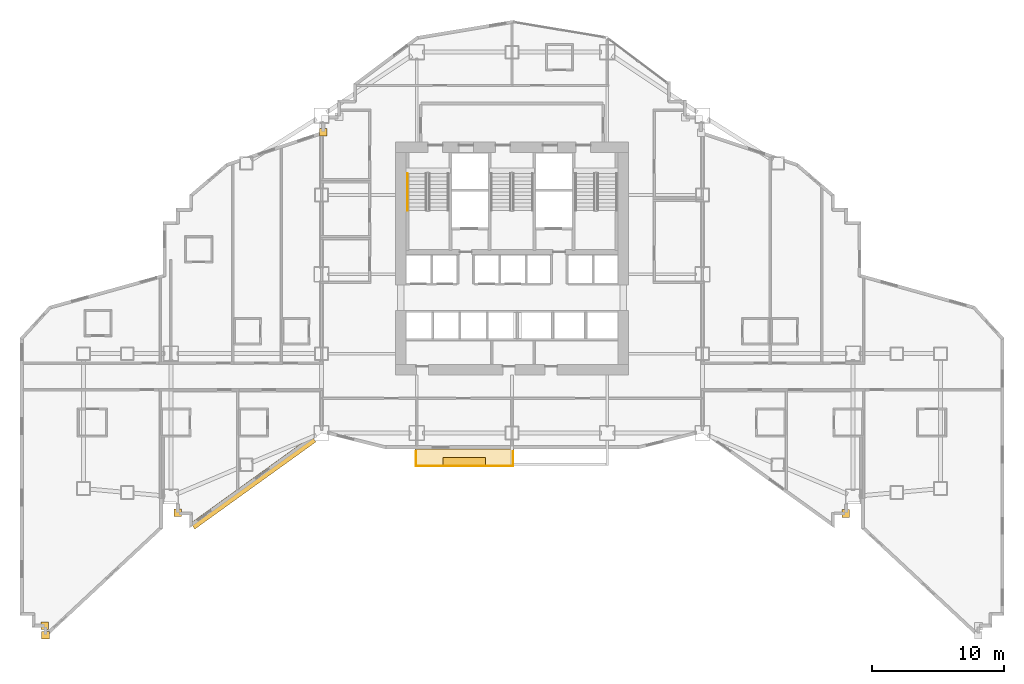
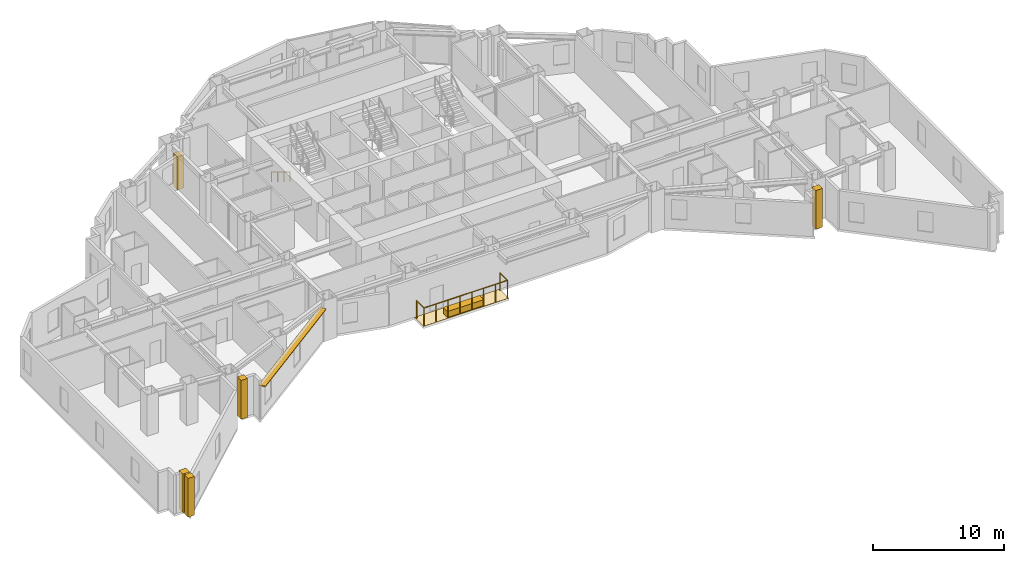
# One storey, part 13 of 15: 7 coverings, 3 railings, 1 shading device.
"""IFC4 building model written with IfcOpenShell, lengths in metres."""

from ifc_helpers import new_model, si_unit, direction, frame, origin, origin_2d, place, context, subcontext, project, spatial, polyline, rectangle, circle, outline, extrude, material, layer, layer_set, type_object, element, save


model = new_model("IFC4")

# Units and contexts
model_context = context("Model", 3, precision=1e-05, world=origin(), true_north=direction((0.0, 1.0)))
body_context = subcontext(model_context, "Body", "Model", "MODEL_VIEW")
ifc_project = project(units=[si_unit("LENGTHUNIT", "METRE"), si_unit("AREAUNIT", "SQUARE_METRE"), si_unit("VOLUMEUNIT", "CUBIC_METRE"), si_unit("PLANEANGLEUNIT", "RADIAN"), si_unit("MASSUNIT", "GRAM", prefix="KILO")], contexts=[model_context])

# Site, building, storey
site_placement = place(None, origin())
site = spatial("IfcSite", under=ifc_project, at=site_placement, CompositionType="ELEMENT")
building_placement = place(site_placement, origin())
building = spatial("IfcBuilding", under=site, at=building_placement, Name="Haolan Belvedere Tower", CompositionType="ELEMENT")
storey_placement = place(building_placement, frame((0.0, 0.0, 66.60009765625)))
storey = spatial("IfcBuildingStorey", under=building, at=storey_placement, Name="L16", CompositionType="ELEMENT", Elevation=66.60009765625)

# Coverings
ifc_material_1 = material(Name="Pale champagne-silver anodised aluminium rainscreen cladding", Category="aluminium")
ifc_layer_1 = layer(ifc_material_1, 0.034912109375, Name="Pale champagne-silver anodised aluminium rainscreen cladding")
ifc_layer_set_1 = layer_set([ifc_layer_1], Name="Pale champagne-silver anodised aluminium rainscreen cladding")
covering_type_1 = type_object("IfcCoveringType", Name="COV-CLAD-35", PredefinedType="CLADDING", material=ifc_layer_set_1)
for number, where, z_axis, x_axis, name in (
    (1, (3.077392578125, 7.02001953125, -0.000244140625), (0.0, 0.0, 1.0), (1.0, 0.0, 0.0), "L16 pale-metal serrated corner cladding trim 1"),
    (2, (3.1201171875, 6.318603515625, -0.000244140625), (0.0, 0.0, 1.0), (1.0, 0.0, 0.0), "L16 pale-metal serrated corner cladding trim 2"),
    (3, (13.1201171875, 15.5625, -0.000244140625), (0.0, 0.0, 1.0), (1.0, 0.0, 0.0), "L16 pale-metal serrated corner cladding trim 3"),
    (4, (63.637451171875, 15.52001953125, -0.000244140625), (0.0, 0.0, 1.0), (1.0, 0.0, 0.0), "L16 pale-metal serrated corner cladding trim 4"),
):
    element("IfcCovering", number, at=place(storey_placement, frame(where, z_axis=z_axis, x_axis=x_axis)), inside=storey, type_object=covering_type_1, Name=name, PredefinedType="CLADDING", context=body_context, shape_type="SweptSolid", body=[
        extrude(rectangle(XDim=0.580078125, YDim=0.580078125, at=origin_2d()), origin(), (0.0, 0.0, 1.0), 3.60009765625),
    ])
covering_1_placement = place(storey_placement, frame((24.1201171875, 44.35595703125, 0.0), z_axis=(0.0, 0.0, 1.0), x_axis=(1.0, 0.0, 0.0)))
element("IfcCovering", 5, at=covering_1_placement, inside=storey, type_object=covering_type_1, Name="L16 pale-metal serrated corner cladding trim 10", PredefinedType="CLADDING", context=body_context, shape_type="SweptSolid", body=[
    extrude(rectangle(XDim=0.580078125, YDim=0.580078125, at=origin_2d()), origin(), (0.0, 0.0, 1.0), 3.096923828125),
])
ifc_material_2 = material(Name="Engineered lightweight planted garden soil substrate", Category="masonry")
ifc_layer_2 = layer(ifc_material_2, 0.550048828125, Name="Engineered lightweight planted garden soil substrate")
ifc_layer_set_2 = layer_set([ifc_layer_2], Name="Engineered lightweight planted garden soil substrate")
covering_type_2 = type_object("IfcCoveringType", Name="COV-PLANT-550", PredefinedType="MEMBRANE", material=ifc_layer_set_2)
covering_2_placement = place(storey_placement, frame((34.800048828125, 19.43994140625, 0.0), z_axis=(0.0, 0.0, 1.0), x_axis=(1.0, 0.0, 0.0)))
element("IfcCovering", 6, at=covering_2_placement, inside=storey, type_object=covering_type_2, Name="L16 structural tree balcony PLANTER box 1", PredefinedType="MEMBRANE", context=body_context, shape_type="SweptSolid", body=[
    extrude(rectangle(XDim=3.199951171875, YDim=0.64990234375, at=origin_2d()), origin(), (0.0, 0.0, 1.0), 0.550048828125),
])
ifc_material_3 = material(Name="Elastomeric waterproof roofing membrane and stone pavers", Category="masonry")
ifc_layer_3 = layer(ifc_material_3, 0.02001953125, Name="Elastomeric waterproof roofing membrane and stone pavers")
ifc_layer_set_3 = layer_set([ifc_layer_3], Name="Elastomeric waterproof roofing membrane and stone pavers")
covering_type_3 = type_object("IfcCoveringType", Name="COV-ROOF-20", PredefinedType="ROOFING", material=ifc_layer_set_3)
covering_3_placement = place(storey_placement, frame((0.0, 0.0, -0.02001953125)))
element("IfcCovering", 7, at=covering_3_placement, inside=storey, type_object=covering_type_3, Name="L16 tree-balcony waterproof membrane 1", PredefinedType="ROOFING", context=body_context, shape_type="SweptSolid", body=[
    extrude(outline(polyline([(31.050048828125, 19.02001953125), (38.550048828125, 19.02001953125), (38.550048828125, 20.39990234375), (31.050048828125, 20.39990234375), (31.050048828125, 19.02001953125)])), origin(), (0.0, 0.0, 1.0), 0.02001953125),
])

# Railings
ifc_material_4 = material(Name="Brushed stainless steel 304", Category="steel")
railing_type_1 = type_object("IfcRailingType", Name="RL-STAIR-HND-900", PredefinedType="HANDRAIL", material=ifc_material_4)
railing_1_placement = place(storey_placement, frame((30.5, 41.22998046875, 0.172607421875)))
element("IfcRailing", 8, at=railing_1_placement, inside=storey, type_object=railing_type_1, Name="L16 ST1 stair handrail 1", PredefinedType="HANDRAIL", context=body_context, shape_type="SweptSolid", body=[
    extrude(circle(Radius=0.02392578125, at=origin_2d()), frame((0.0, 0.0, 0.8759765625), z_axis=(0.0, -0.851089632645, 0.525020415988), x_axis=(1.0, 0.0, 0.0)), (0.0, 0.0, 1.0), 3.2900390625),
    extrude(circle(Radius=0.02099609375, at=origin_2d()), origin(), (0.0, 0.0, 1.0), 0.851806640625),
    extrude(circle(Radius=0.02099609375, at=origin_2d()), frame((0.0, -0.933349609375, 0.57568359375)), (0.0, 0.0, 1.0), 0.851806640625),
    extrude(circle(Radius=0.02099609375, at=origin_2d()), frame((0.0, -1.86669921875, 1.151611328125)), (0.0, 0.0, 1.0), 0.851806640625),
    extrude(circle(Radius=0.02099609375, at=origin_2d()), frame((0.0, -2.800048828125, 1.727294921875)), (0.0, 0.0, 1.0), 0.851806640625),
])
ifc_material_5 = material(Name="Anodised aluminium and laminated glass balustrade", Category="aluminium")
railing_type_2 = type_object("IfcRailingType", Name="RL-TER-BAL-1150", PredefinedType="BALUSTRADE", material=ifc_material_5)
railing_2_placement = place(storey_placement, frame((31.1298828125, 19.10009765625, 0.0)))
element("IfcRailing", 9, at=railing_2_placement, inside=storey, type_object=railing_type_2, Name="L16 outdoor perimeter balustrade BAL-L16-1-1", PredefinedType="BALUSTRADE", context=body_context, shape_type="SweptSolid", body=[
    extrude(circle(Radius=0.02392578125, at=origin_2d()), frame((0.0, 0.0, 1.6259765625), z_axis=(0.0, 1.0, 0.0), x_axis=(-1.0, 0.0, 0.0)), (0.0, 0.0, 1.0), 1.119873046875),
    extrude(circle(Radius=0.02099609375, at=origin_2d()), origin(), (0.0, 0.0, 1.0), 1.601806640625),
    extrude(circle(Radius=0.02099609375, at=origin_2d()), frame((0.0, 1.119873046875, 0.0)), (0.0, 0.0, 1.0), 1.601806640625),
])
railing_3_placement = place(storey_placement, frame((38.469970703125, 20.219970703125, 0.0)))
element("IfcRailing", 10, at=railing_3_placement, inside=storey, type_object=railing_type_2, Name="L16 outdoor perimeter balustrade BAL-L16-1-2", PredefinedType="BALUSTRADE", context=body_context, shape_type="SweptSolid", body=[
    extrude(circle(Radius=0.02392578125, at=origin_2d()), frame((0.0, 0.0, 1.6259765625), z_axis=(0.0, -1.0, 0.0), x_axis=(1.0, 0.0, 0.0)), (0.0, 0.0, 1.0), 1.119873046875),
    extrude(circle(Radius=0.02392578125, at=origin_2d()), frame((0.0, -1.119873046875, 1.6259765625), z_axis=(-1.0, 0.0, 0.0), x_axis=(0.0, -1.0, 0.0)), (0.0, 0.0, 1.0), 7.340087890625),
    extrude(circle(Radius=0.02099609375, at=origin_2d()), origin(), (0.0, 0.0, 1.0), 1.601806640625),
    extrude(circle(Radius=0.02099609375, at=origin_2d()), frame((0.0, -1.119873046875, 0.0)), (0.0, 0.0, 1.0), 1.601806640625),
    extrude(circle(Radius=0.02099609375, at=origin_2d()), frame((-1.048583984375, -1.119873046875, 0.0)), (0.0, 0.0, 1.0), 1.601806640625),
    extrude(circle(Radius=0.02099609375, at=origin_2d()), frame((-2.09716796875, -1.119873046875, 0.0)), (0.0, 0.0, 1.0), 1.601806640625),
    extrude(circle(Radius=0.02099609375, at=origin_2d()), frame((-3.145751953125, -1.119873046875, 0.0)), (0.0, 0.0, 1.0), 1.601806640625),
    extrude(circle(Radius=0.02099609375, at=origin_2d()), frame((-4.1943359375, -1.119873046875, 0.0)), (0.0, 0.0, 1.0), 1.601806640625),
    extrude(circle(Radius=0.02099609375, at=origin_2d()), frame((-5.242919921875, -1.119873046875, 0.0)), (0.0, 0.0, 1.0), 1.601806640625),
    extrude(circle(Radius=0.02099609375, at=origin_2d()), frame((-6.29150390625, -1.119873046875, 0.0)), (0.0, 0.0, 1.0), 1.601806640625),
    extrude(circle(Radius=0.02099609375, at=origin_2d()), frame((-7.340087890625, -1.119873046875, 0.0)), (0.0, 0.0, 1.0), 1.601806640625),
])

# Shading device
ifc_material_6 = material(Name="Anodised champagne-silver aluminium 6063-T6", Category="aluminium")
ifc_layer_4 = layer(ifc_material_6, 0.080078125, Name="Anodised champagne-silver aluminium 6063-T6")
ifc_layer_set_4 = layer_set([ifc_layer_4], Name="Anodised champagne-silver aluminium 6063-T6")
shading_device_type = type_object("IfcShadingDeviceType", Name="SHD-SUN-550", PredefinedType="USERDEFINED", material=ifc_layer_set_4)
shading_device_placement = place(storey_placement, frame((18.8359375, 17.857421875, 2.996826171875), z_axis=(0.0, 0.0, 1.0), x_axis=(0.811533191666, 0.584306322766, 0.0)))
element("IfcShadingDevice", 11, at=shading_device_placement, inside=storey, type_object=shading_device_type, Name="L16 pale-metal horizontal SUNSHADE band 11.1", ObjectType="SUNSHADE", PredefinedType="USERDEFINED", context=body_context, shape_type="SweptSolid", body=[
    extrude(rectangle(XDim=11.290771484375, YDim=0.550048828125, at=origin_2d()), origin(), (0.0, 0.0, 1.0), 0.080078125),
])

save(model, "model.ifc")
